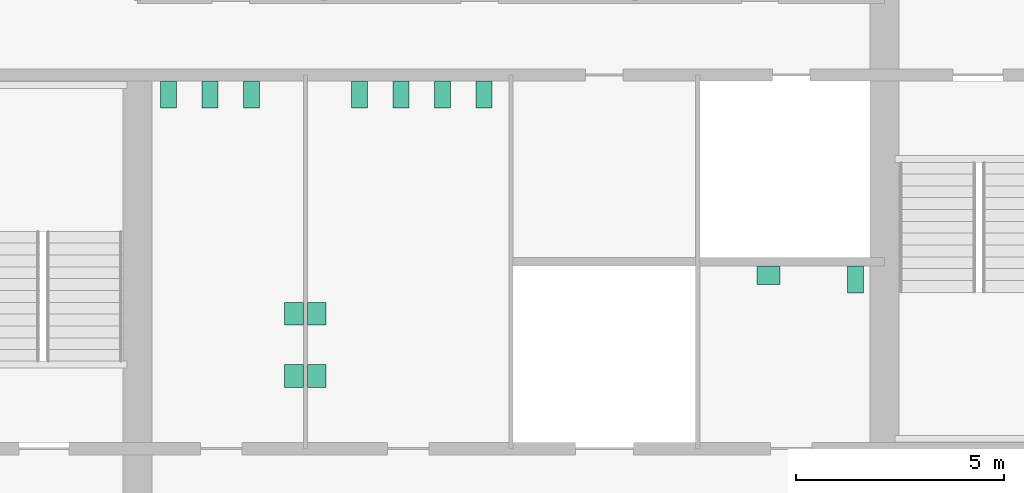
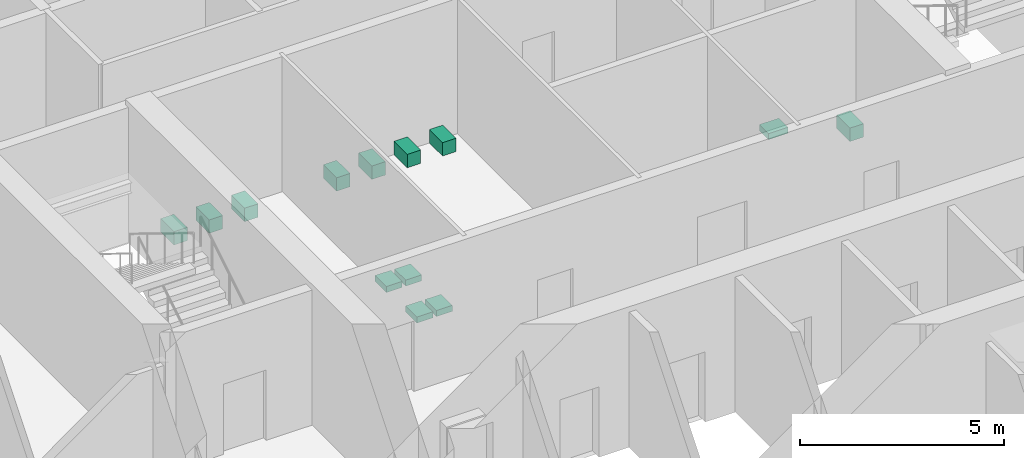
# One storey, part 12 of 12: 13 sanitary terminals.
"""IFC4 building model written with IfcOpenShell, lengths in metres."""

from ifc_helpers import new_model, si_unit, direction, frame, origin, origin_2d, place, context, subcontext, project, spatial, rectangle, extrude, material, type_object, element, save


model = new_model("IFC4")

# Units and contexts
model_context = context("Model", 3, precision=1e-05, world=origin(), true_north=direction((0.0, 1.0)))
body_context = subcontext(model_context, "Body", "Model", "MODEL_VIEW")
ifc_project = project(units=[si_unit("LENGTHUNIT", "METRE"), si_unit("AREAUNIT", "SQUARE_METRE"), si_unit("VOLUMEUNIT", "CUBIC_METRE"), si_unit("PLANEANGLEUNIT", "RADIAN"), si_unit("MASSUNIT", "GRAM", prefix="KILO")], contexts=[model_context])

# Site, building, storey
site_placement = place(None, origin())
site = spatial("IfcSite", under=ifc_project, at=site_placement, CompositionType="ELEMENT")
building_placement = place(site_placement, origin())
building = spatial("IfcBuilding", under=site, at=building_placement, Name="Corais Broadcast Tower", CompositionType="ELEMENT")
storey_placement = place(building_placement, frame((0.0, 0.0, 71.0)))
storey = spatial("IfcBuildingStorey", under=building, at=storey_placement, Name="L15", CompositionType="ELEMENT", Elevation=71.0)

# Sanitary terminals
ifc_material_1 = material(Name="Vitreous china", Category="ceramic")
sanitary_terminal_type_1 = type_object("IfcSanitaryTerminalType", Name="WC pan 380x650", PredefinedType="TOILETPAN", material=ifc_material_1)
for number, where, z_axis, x_axis, name in (
    (1, (18.75, 31.02490234375, 0.0), (0.0, 0.0, 1.0), (1.0, 0.0, 0.0), "SW1 WC pan, male toilets L15"),
    (2, (19.75, 31.02490234375, 0.0), (0.0, 0.0, 1.0), (1.0, 0.0, 0.0), "SW1 WC pan, male toilets L15"),
    (3, (20.75, 31.02490234375, 0.0), (0.0, 0.0, 1.0), (1.0, 0.0, 0.0), "SW1 WC pan, male toilets L15"),
    (4, (23.35009765625, 31.02490234375, 0.0), (0.0, 0.0, 1.0), (1.0, 0.0, 0.0), "SW1 WC pan, female toilets L15"),
    (5, (24.35009765625, 31.02490234375, 0.0), (0.0, 0.0, 1.0), (1.0, 0.0, 0.0), "SW1 WC pan, female toilets L15"),
    (6, (25.35009765625, 31.02490234375, 0.0), (0.0, 0.0, 1.0), (1.0, 0.0, 0.0), "SW1 WC pan, female toilets L15"),
    (7, (26.35009765625, 31.02490234375, 0.0), (0.0, 0.0, 1.0), (1.0, 0.0, 0.0), "SW1 WC pan, female toilets L15"),
    (8, (35.300048828125, 26.574951171875, 0.0), (0.0, 0.0, 1.0), (1.0, 0.0, 0.0), "SW1 WC pan, accessible WC L15"),
):
    element("IfcSanitaryTerminal", number, at=place(storey_placement, frame(where, z_axis=z_axis, x_axis=x_axis)), inside=storey, type_object=sanitary_terminal_type_1, Name=name, PredefinedType="TOILETPAN", context=body_context, shape_type="SweptSolid", body=[
        extrude(rectangle(XDim=0.3798828125, YDim=0.64990234375, at=origin_2d()), origin(), (0.0, 0.0, 1.0), 0.39990234375),
    ])
ifc_material_2 = material(Name="Vitreous china", Category="ceramic")
sanitary_terminal_type_2 = type_object("IfcSanitaryTerminalType", Name="Wash basin 550x450", PredefinedType="WASHHANDBASIN", material=ifc_material_2)
for number, where, z_axis, x_axis, name in (
    (9, (21.77490234375, 24.25, 0.7001953125), (0.0, 0.0, 1.0), (1.0, 0.0, 0.0), "WB1 wash basin, male toilets L15"),
    (10, (21.77490234375, 25.75, 0.7001953125), (0.0, 0.0, 1.0), (1.0, 0.0, 0.0), "WB1 wash basin, male toilets L15"),
    (11, (22.324951171875, 24.25, 0.7001953125), (0.0, 0.0, 1.0), (1.0, 0.0, 0.0), "WB1 wash basin, female toilets L15"),
    (12, (22.324951171875, 25.75, 0.7001953125), (0.0, 0.0, 1.0), (1.0, 0.0, 0.0), "WB1 wash basin, female toilets L15"),
):
    element("IfcSanitaryTerminal", number, at=place(storey_placement, frame(where, z_axis=z_axis, x_axis=x_axis)), inside=storey, type_object=sanitary_terminal_type_2, Name=name, PredefinedType="WASHHANDBASIN", context=body_context, shape_type="SweptSolid", body=[
        extrude(rectangle(XDim=0.449951171875, YDim=0.550048828125, at=origin_2d()), origin(), (0.0, 0.0, 1.0), 0.179931640625),
    ])
sanitary_terminal_placement = place(storey_placement, frame((33.199951171875, 26.675048828125, 0.7001953125), z_axis=(0.0, 0.0, 1.0), x_axis=(1.0, 0.0, 0.0)))
element("IfcSanitaryTerminal", 13, at=sanitary_terminal_placement, inside=storey, type_object=sanitary_terminal_type_2, Name="WB1 wash basin, accessible WC L15", PredefinedType="WASHHANDBASIN", context=body_context, shape_type="SweptSolid", body=[
    extrude(rectangle(XDim=0.550048828125, YDim=0.449951171875, at=origin_2d()), origin(), (0.0, 0.0, 1.0), 0.179931640625),
])

save(model, "model.ifc")
